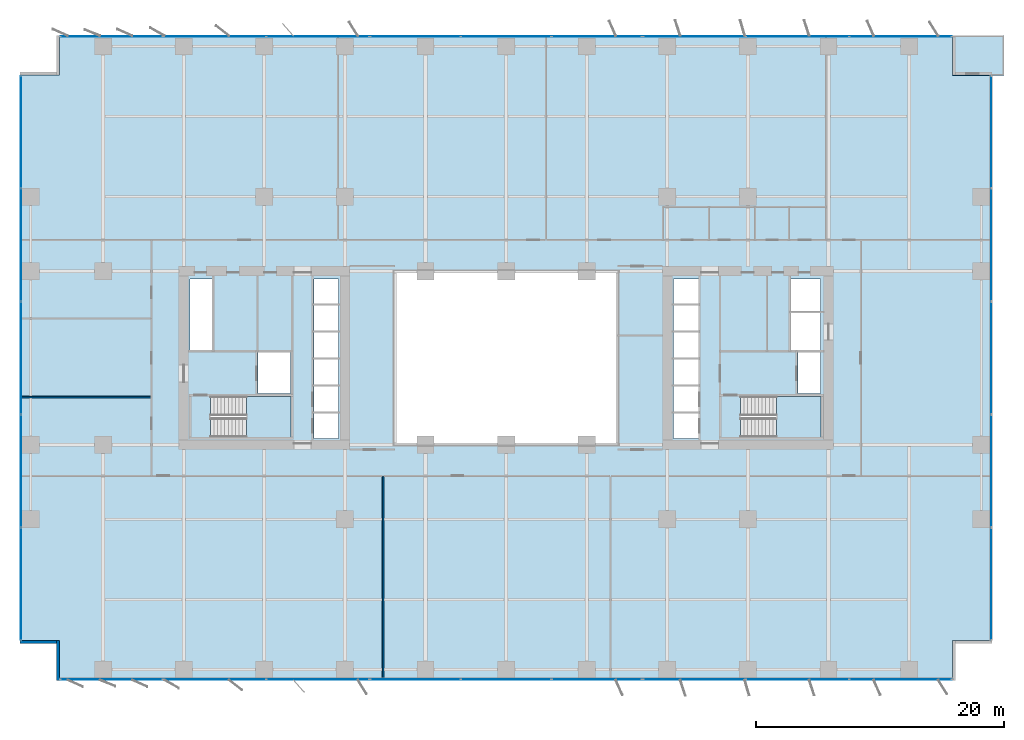
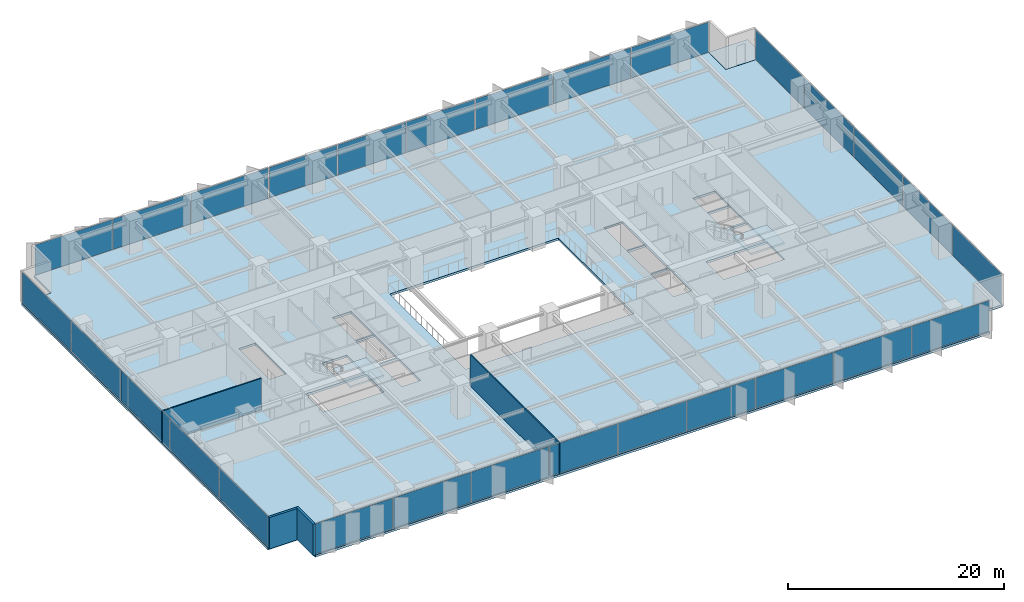
# One storey, part 12 of 20: 28 plates, 4 slabs, 4 walls, 10 elements without a shape of their own.
"""IFC4 building model written with IfcOpenShell, lengths in metres."""

from ifc_helpers import new_model, si_unit, direction, frame, frame_2d, origin, origin_2d, place, context, subcontext, project, spatial, polyline, rectangle, outline, extrude, material, layer, layer_set, type_object, element, aggregate, save


model = new_model("IFC4")

# Units and contexts
model_context = context("Model", 3, precision=1e-05, world=origin(), true_north=direction((0.0, 1.0)))
body_context = subcontext(model_context, "Body", "Model", "MODEL_VIEW")
ifc_project = project(units=[si_unit("LENGTHUNIT", "METRE"), si_unit("AREAUNIT", "SQUARE_METRE"), si_unit("VOLUMEUNIT", "CUBIC_METRE"), si_unit("PLANEANGLEUNIT", "RADIAN"), si_unit("MASSUNIT", "GRAM", prefix="KILO")], contexts=[model_context])

# Site, building, storey
site_placement = place(None, origin())
site = spatial("IfcSite", under=ifc_project, at=site_placement, CompositionType="ELEMENT")
building_placement = place(site_placement, origin())
building = spatial("IfcBuilding", under=site, at=building_placement, Name="Putna Gate Headquarters", CompositionType="ELEMENT")
storey_placement = place(building_placement, frame((0.0, 0.0, 58.199951171875)))
storey = spatial("IfcBuildingStorey", under=building, at=storey_placement, Name="L13", CompositionType="ELEMENT", Elevation=58.199951171875)

# Stair, slab
ifc_material_1 = material(Name="Concrete C40/50", Category="concrete")
stair_type_1 = type_object("IfcStairType", Name="STAIR-ST1", PredefinedType="HALF_TURN_STAIR", material=ifc_material_1)
stair_1_placement = place(storey_placement, origin())
stair_1 = element("IfcStair", 1, at=stair_1_placement, inside=storey, type_object=stair_type_1, Name="L13 West Core Exit Stair ST1", PredefinedType="HALF_TURN_STAIR")
ifc_layer_1 = layer(ifc_material_1, 0.199951171875)
ifc_layer_set_1 = layer_set([ifc_layer_1], Name="Concrete C40/50")
slab_type_1 = type_object("IfcSlabType", Name="LANDING-ST1", PredefinedType="LANDING", material=ifc_layer_set_1)
slab_1_placement = place(storey_placement, frame((0.0, 0.0, 1.699951171875)))
slab_1 = element("IfcSlab", 2, at=slab_1_placement, type_object=slab_type_1, Name="ST1 landing 1", PredefinedType="LANDING", context=body_context, shape_type="SweptSolid", body=[
    extrude(outline(polyline([(18.050048828125, 19.60009765625), (21.64990234375, 19.60009765625), (21.64990234375, 22.89990234375), (18.050048828125, 22.89990234375), (18.050048828125, 19.60009765625)])), origin(), (0.0, 0.0, 1.0), 0.2001953125),
])
aggregate(stair_1, [slab_1])

stair_type_2 = type_object("IfcStairType", Name="STAIR-ST2", PredefinedType="HALF_TURN_STAIR", material=ifc_material_1)
stair_2_placement = place(storey_placement, origin())
stair_2 = element("IfcStair", 3, at=stair_2_placement, inside=storey, type_object=stair_type_2, Name="L13 East Core Exit Stair ST2", PredefinedType="HALF_TURN_STAIR")
ifc_layer_2 = layer(ifc_material_1, 0.199951171875)
ifc_layer_set_2 = layer_set([ifc_layer_2], Name="Concrete C40/50")
slab_type_2 = type_object("IfcSlabType", Name="LANDING-ST2", PredefinedType="LANDING", material=ifc_layer_set_2)
slab_2_placement = place(storey_placement, frame((0.0, 0.0, 1.699951171875)))
slab_2 = element("IfcSlab", 4, at=slab_2_placement, type_object=slab_type_2, Name="ST2 landing 1", PredefinedType="LANDING", context=body_context, shape_type="SweptSolid", body=[
    extrude(outline(polyline([(60.800048828125, 19.60009765625), (64.39990234375, 19.60009765625), (64.39990234375, 22.89990234375), (60.800048828125, 22.89990234375), (60.800048828125, 19.60009765625)])), origin(), (0.0, 0.0, 1.0), 0.2001953125),
])
aggregate(stair_2, [slab_2])

# Curtain wall, plates
ifc_material_2 = material(Name="Anodised bronze aluminium curtain wall", Category="aluminium")
ifc_layer_3 = layer(ifc_material_2, 0.179931640625)
ifc_layer_set_3 = layer_set([ifc_layer_3], Name="Anodised bronze aluminium curtain wall")
curtain_wall_type_1 = type_object("IfcCurtainWallType", Name="CW-SYS-Z1", PredefinedType="USERDEFINED", material=ifc_layer_set_3)
curtain_wall_1_placement = place(storey_placement, origin())
curtain_wall_1 = element("IfcCurtainWall", 5, at=curtain_wall_1_placement, inside=storey, type_object=curtain_wall_type_1, Name="L13 South West Curtain Wall", ObjectType="STICK CURTAIN WALL", PredefinedType="USERDEFINED")
ifc_material_3 = material(Name="Solar-control triple low-E glass", Category="glass")
ifc_layer_4 = layer(ifc_material_3, 0.031982421875)
ifc_layer_set_4 = layer_set([ifc_layer_4], Name="Solar-control triple low-E glass")
plate_type_1 = type_object("IfcPlateType", Name="PAN-CWP-1", PredefinedType="CURTAIN_PANEL", material=ifc_layer_set_4)
plate_1_placement = place(storey_placement, frame((7.18408203125, 0.080078125, 0.065185546875), z_axis=(0.0, 0.0, 1.0), x_axis=(1.0, 0.0, 0.0)))
plate_1 = element("IfcPlate", 6, at=plate_1_placement, type_object=plate_type_1, Name="CWS-1 panel 1.1", PredefinedType="CURTAIN_PANEL", context=body_context, shape_type="SweptSolid", body=[
    extrude(rectangle(XDim=8.228271484375, YDim=0.031982421875, at=origin_2d()), origin(), (0.0, 0.0, 1.0), 3.419921875),
])
plate_2_placement = place(storey_placement, frame((15.5, 0.080078125, 0.065185546875), z_axis=(0.0, 0.0, 1.0), x_axis=(1.0, 0.0, 0.0)))
plate_2 = element("IfcPlate", 7, at=plate_2_placement, type_object=plate_type_1, Name="CWS-1 panel 2.1", PredefinedType="CURTAIN_PANEL", context=body_context, shape_type="SweptSolid", body=[
    extrude(rectangle(XDim=8.263427734375, YDim=0.031982421875, at=origin_2d()), origin(), (0.0, 0.0, 1.0), 3.419921875),
])
plate_3_placement = place(storey_placement, frame((23.81591796875, 0.080078125, 0.065185546875), z_axis=(0.0, 0.0, 1.0), x_axis=(1.0, 0.0, 0.0)))
plate_3 = element("IfcPlate", 8, at=plate_3_placement, type_object=plate_type_1, Name="CWS-1 panel 3.1", PredefinedType="CURTAIN_PANEL", context=body_context, shape_type="SweptSolid", body=[
    extrude(rectangle(XDim=8.228271484375, YDim=0.031982421875, at=origin_2d()), origin(), (0.0, 0.0, 1.0), 3.419921875),
])
aggregate(curtain_wall_1, [plate_1, plate_2, plate_3])

curtain_wall_2_placement = place(storey_placement, origin())
curtain_wall_2 = element("IfcCurtainWall", 9, at=curtain_wall_2_placement, inside=storey, type_object=curtain_wall_type_1, Name="L13 South East Curtain Wall", ObjectType="STICK CURTAIN WALL", PredefinedType="USERDEFINED")
plate_4_placement = place(storey_placement, frame((54.18408203125, 0.080078125, 0.065185546875), z_axis=(0.0, 0.0, 1.0), x_axis=(1.0, 0.0, 0.0)))
plate_4 = element("IfcPlate", 10, at=plate_4_placement, type_object=plate_type_1, Name="CWS-1 panel 1.1", PredefinedType="CURTAIN_PANEL", context=body_context, shape_type="SweptSolid", body=[
    extrude(rectangle(XDim=8.228271484375, YDim=0.031982421875, at=origin_2d()), origin(), (0.0, 0.0, 1.0), 3.419921875),
])
plate_5_placement = place(storey_placement, frame((62.5, 0.080078125, 0.065185546875), z_axis=(0.0, 0.0, 1.0), x_axis=(1.0, 0.0, 0.0)))
plate_5 = element("IfcPlate", 11, at=plate_5_placement, type_object=plate_type_1, Name="CWS-1 panel 2.1", PredefinedType="CURTAIN_PANEL", context=body_context, shape_type="SweptSolid", body=[
    extrude(rectangle(XDim=8.263427734375, YDim=0.031982421875, at=origin_2d()), origin(), (0.0, 0.0, 1.0), 3.419921875),
])
plate_6_placement = place(storey_placement, frame((70.81591796875, 0.080078125, 0.065185546875), z_axis=(0.0, 0.0, 1.0), x_axis=(1.0, 0.0, 0.0)))
plate_6 = element("IfcPlate", 12, at=plate_6_placement, type_object=plate_type_1, Name="CWS-1 panel 3.1", PredefinedType="CURTAIN_PANEL", context=body_context, shape_type="SweptSolid", body=[
    extrude(rectangle(XDim=8.228271484375, YDim=0.031982421875, at=origin_2d()), origin(), (0.0, 0.0, 1.0), 3.419921875),
])
aggregate(curtain_wall_2, [plate_4, plate_5, plate_6])

curtain_wall_3_placement = place(storey_placement, origin())
curtain_wall_3 = element("IfcCurtainWall", 13, at=curtain_wall_3_placement, inside=storey, type_object=curtain_wall_type_1, Name="L13 North West Curtain Wall", ObjectType="STICK CURTAIN WALL", PredefinedType="USERDEFINED")
plate_7_placement = place(storey_placement, frame((7.18408203125, 51.919921875, 0.065185546875), z_axis=(0.0, 0.0, 1.0), x_axis=(1.0, 0.0, 0.0)))
plate_7 = element("IfcPlate", 14, at=plate_7_placement, type_object=plate_type_1, Name="CWS-1 panel 1.1", PredefinedType="CURTAIN_PANEL", context=body_context, shape_type="SweptSolid", body=[
    extrude(rectangle(XDim=8.228271484375, YDim=0.031982421875, at=origin_2d()), origin(), (0.0, 0.0, 1.0), 3.419921875),
])
plate_8_placement = place(storey_placement, frame((15.5, 51.919921875, 0.065185546875), z_axis=(0.0, 0.0, 1.0), x_axis=(1.0, 0.0, 0.0)))
plate_8 = element("IfcPlate", 15, at=plate_8_placement, type_object=plate_type_1, Name="CWS-1 panel 2.1", PredefinedType="CURTAIN_PANEL", context=body_context, shape_type="SweptSolid", body=[
    extrude(rectangle(XDim=8.263427734375, YDim=0.031982421875, at=origin_2d()), origin(), (0.0, 0.0, 1.0), 3.419921875),
])
plate_9_placement = place(storey_placement, frame((23.81591796875, 51.919921875, 0.065185546875), z_axis=(0.0, 0.0, 1.0), x_axis=(1.0, 0.0, 0.0)))
plate_9 = element("IfcPlate", 16, at=plate_9_placement, type_object=plate_type_1, Name="CWS-1 panel 3.1", PredefinedType="CURTAIN_PANEL", context=body_context, shape_type="SweptSolid", body=[
    extrude(rectangle(XDim=8.228271484375, YDim=0.031982421875, at=origin_2d()), origin(), (0.0, 0.0, 1.0), 3.419921875),
])
aggregate(curtain_wall_3, [plate_7, plate_8, plate_9])

curtain_wall_4_placement = place(storey_placement, origin())
curtain_wall_4 = element("IfcCurtainWall", 17, at=curtain_wall_4_placement, inside=storey, type_object=curtain_wall_type_1, Name="L13 North East Curtain Wall", ObjectType="STICK CURTAIN WALL", PredefinedType="USERDEFINED")
plate_10_placement = place(storey_placement, frame((54.18408203125, 51.919921875, 0.065185546875), z_axis=(0.0, 0.0, 1.0), x_axis=(1.0, 0.0, 0.0)))
plate_10 = element("IfcPlate", 18, at=plate_10_placement, type_object=plate_type_1, Name="CWS-1 panel 1.1", PredefinedType="CURTAIN_PANEL", context=body_context, shape_type="SweptSolid", body=[
    extrude(rectangle(XDim=8.228271484375, YDim=0.031982421875, at=origin_2d()), origin(), (0.0, 0.0, 1.0), 3.419921875),
])
plate_11_placement = place(storey_placement, frame((62.5, 51.919921875, 0.065185546875), z_axis=(0.0, 0.0, 1.0), x_axis=(1.0, 0.0, 0.0)))
plate_11 = element("IfcPlate", 19, at=plate_11_placement, type_object=plate_type_1, Name="CWS-1 panel 2.1", PredefinedType="CURTAIN_PANEL", context=body_context, shape_type="SweptSolid", body=[
    extrude(rectangle(XDim=8.263427734375, YDim=0.031982421875, at=origin_2d()), origin(), (0.0, 0.0, 1.0), 3.419921875),
])
plate_12_placement = place(storey_placement, frame((70.81591796875, 51.919921875, 0.065185546875), z_axis=(0.0, 0.0, 1.0), x_axis=(1.0, 0.0, 0.0)))
plate_12 = element("IfcPlate", 20, at=plate_12_placement, type_object=plate_type_1, Name="CWS-1 panel 3.1", PredefinedType="CURTAIN_PANEL", context=body_context, shape_type="SweptSolid", body=[
    extrude(rectangle(XDim=8.228271484375, YDim=0.031982421875, at=origin_2d()), origin(), (0.0, 0.0, 1.0), 3.419921875),
])
aggregate(curtain_wall_4, [plate_10, plate_11, plate_12])

curtain_wall_5_placement = place(storey_placement, origin())
curtain_wall_5 = element("IfcCurtainWall", 21, at=curtain_wall_5_placement, inside=storey, type_object=curtain_wall_type_1, Name="L13 West Curtain Wall", ObjectType="STICK CURTAIN WALL", PredefinedType="USERDEFINED")
plate_13_placement = place(storey_placement, frame((-0.1201171875, 7.777587890625, 0.065185546875), z_axis=(0.0, 0.0, 1.0), x_axis=(0.0, 1.0, 0.0)))
plate_13 = element("IfcPlate", 22, at=plate_13_placement, type_object=plate_type_1, Name="CWS-1 panel 1.1", PredefinedType="CURTAIN_PANEL", context=body_context, shape_type="SweptSolid", body=[
    extrude(rectangle(XDim=9.014892578125, YDim=0.031982421875, at=origin_2d()), origin(), (0.0, 0.0, 1.0), 3.419921875),
])
plate_14_placement = place(storey_placement, frame((-0.1201171875, 16.8798828125, 0.065185546875), z_axis=(0.0, 0.0, 1.0), x_axis=(0.0, 1.0, 0.0)))
plate_14 = element("IfcPlate", 23, at=plate_14_placement, type_object=plate_type_1, Name="CWS-1 panel 2.1", PredefinedType="CURTAIN_PANEL", context=body_context, shape_type="SweptSolid", body=[
    extrude(rectangle(XDim=9.050048828125, YDim=0.031982421875, at=origin_2d()), origin(), (0.0, 0.0, 1.0), 3.419921875),
])
plate_15_placement = place(storey_placement, frame((-0.1201171875, 26.0, 0.065185546875), z_axis=(0.0, 0.0, 1.0), x_axis=(0.0, 1.0, 0.0)))
plate_15 = element("IfcPlate", 24, at=plate_15_placement, type_object=plate_type_1, Name="CWS-1 panel 3.1", PredefinedType="CURTAIN_PANEL", context=body_context, shape_type="SweptSolid", body=[
    extrude(rectangle(XDim=9.050048828125, YDim=0.031982421875, at=origin_2d()), origin(), (0.0, 0.0, 1.0), 3.419921875),
])
plate_16_placement = place(storey_placement, frame((-0.1201171875, 35.1201171875, 0.065185546875), z_axis=(0.0, 0.0, 1.0), x_axis=(0.0, 1.0, 0.0)))
plate_16 = element("IfcPlate", 25, at=plate_16_placement, type_object=plate_type_1, Name="CWS-1 panel 4.1", PredefinedType="CURTAIN_PANEL", context=body_context, shape_type="SweptSolid", body=[
    extrude(rectangle(XDim=9.050048828125, YDim=0.031982421875, at=origin_2d()), origin(), (0.0, 0.0, 1.0), 3.419921875),
])
plate_17_placement = place(storey_placement, frame((-0.1201171875, 44.222412109375, 0.065185546875), z_axis=(0.0, 0.0, 1.0), x_axis=(0.0, 1.0, 0.0)))
plate_17 = element("IfcPlate", 26, at=plate_17_placement, type_object=plate_type_1, Name="CWS-1 panel 5.1", PredefinedType="CURTAIN_PANEL", context=body_context, shape_type="SweptSolid", body=[
    extrude(rectangle(XDim=9.014892578125, YDim=0.031982421875, at=origin_2d()), origin(), (0.0, 0.0, 1.0), 3.419921875),
])
aggregate(curtain_wall_5, [plate_13, plate_14, plate_15, plate_16, plate_17])

curtain_wall_6_placement = place(storey_placement, origin())
curtain_wall_6 = element("IfcCurtainWall", 27, at=curtain_wall_6_placement, inside=storey, type_object=curtain_wall_type_1, Name="L13 East Curtain Wall", ObjectType="STICK CURTAIN WALL", PredefinedType="USERDEFINED")
plate_18_placement = place(storey_placement, frame((78.1201171875, 7.777587890625, 0.065185546875), z_axis=(0.0, 0.0, 1.0), x_axis=(0.0, 1.0, 0.0)))
plate_18 = element("IfcPlate", 28, at=plate_18_placement, type_object=plate_type_1, Name="CWS-1 panel 1.1", PredefinedType="CURTAIN_PANEL", context=body_context, shape_type="SweptSolid", body=[
    extrude(rectangle(XDim=9.014892578125, YDim=0.031982421875, at=origin_2d()), origin(), (0.0, 0.0, 1.0), 3.419921875),
])
plate_19_placement = place(storey_placement, frame((78.1201171875, 16.8798828125, 0.065185546875), z_axis=(0.0, 0.0, 1.0), x_axis=(0.0, 1.0, 0.0)))
plate_19 = element("IfcPlate", 29, at=plate_19_placement, type_object=plate_type_1, Name="CWS-1 panel 2.1", PredefinedType="CURTAIN_PANEL", context=body_context, shape_type="SweptSolid", body=[
    extrude(rectangle(XDim=9.050048828125, YDim=0.031982421875, at=origin_2d()), origin(), (0.0, 0.0, 1.0), 3.419921875),
])
plate_20_placement = place(storey_placement, frame((78.1201171875, 26.0, 0.065185546875), z_axis=(0.0, 0.0, 1.0), x_axis=(0.0, 1.0, 0.0)))
plate_20 = element("IfcPlate", 30, at=plate_20_placement, type_object=plate_type_1, Name="CWS-1 panel 3.1", PredefinedType="CURTAIN_PANEL", context=body_context, shape_type="SweptSolid", body=[
    extrude(rectangle(XDim=9.050048828125, YDim=0.031982421875, at=origin_2d()), origin(), (0.0, 0.0, 1.0), 3.419921875),
])
plate_21_placement = place(storey_placement, frame((78.1201171875, 35.1201171875, 0.065185546875), z_axis=(0.0, 0.0, 1.0), x_axis=(0.0, 1.0, 0.0)))
plate_21 = element("IfcPlate", 31, at=plate_21_placement, type_object=plate_type_1, Name="CWS-1 panel 4.1", PredefinedType="CURTAIN_PANEL", context=body_context, shape_type="SweptSolid", body=[
    extrude(rectangle(XDim=9.050048828125, YDim=0.031982421875, at=origin_2d()), origin(), (0.0, 0.0, 1.0), 3.419921875),
])
plate_22_placement = place(storey_placement, frame((78.1201171875, 44.222412109375, 0.065185546875), z_axis=(0.0, 0.0, 1.0), x_axis=(0.0, 1.0, 0.0)))
plate_22 = element("IfcPlate", 32, at=plate_22_placement, type_object=plate_type_1, Name="CWS-1 panel 5.1", PredefinedType="CURTAIN_PANEL", context=body_context, shape_type="SweptSolid", body=[
    extrude(rectangle(XDim=9.014892578125, YDim=0.031982421875, at=origin_2d()), origin(), (0.0, 0.0, 1.0), 3.419921875),
])
aggregate(curtain_wall_6, [plate_18, plate_19, plate_20, plate_21, plate_22])

ifc_layer_5 = layer(ifc_material_2, 0.179931640625)
ifc_layer_set_5 = layer_set([ifc_layer_5], Name="Anodised bronze aluminium curtain wall")
curtain_wall_type_2 = type_object("IfcCurtainWallType", Name="CW-SYS-ATR", PredefinedType="USERDEFINED", material=ifc_layer_set_5)
curtain_wall_7_placement = place(storey_placement, origin())
curtain_wall_7 = element("IfcCurtainWall", 33, at=curtain_wall_7_placement, inside=storey, type_object=curtain_wall_type_2, Name="L13 South Atrium Clear Glazing", ObjectType="ATRIUM GLAZING", PredefinedType="USERDEFINED")
ifc_material_4 = material(Name="Clear low-iron triple glazing", Category="glass")
ifc_layer_6 = layer(ifc_material_4, 0.0400390625)
ifc_layer_set_6 = layer_set([ifc_layer_6], Name="Clear low-iron triple glazing")
plate_type_2 = type_object("IfcPlateType", Name="PAN-CWP-AT", PredefinedType="CURTAIN_PANEL", material=ifc_layer_set_6)
plate_23_placement = place(storey_placement, frame((31.68408203125, 0.080078125, 0.0703125), z_axis=(0.0, 0.0, 1.0), x_axis=(1.0, 0.0, 0.0)))
plate_23 = element("IfcPlate", 34, at=plate_23_placement, type_object=plate_type_2, Name="CWS-AT panel 1.1", PredefinedType="CURTAIN_PANEL", context=body_context, shape_type="SweptSolid", body=[
    extrude(rectangle(XDim=7.228271484375, YDim=0.0400390625, at=origin_2d()), origin(), (0.0, 0.0, 1.0), 3.409912109375),
])
plate_24_placement = place(storey_placement, frame((39.0, 0.080078125, 0.0703125), z_axis=(0.0, 0.0, 1.0), x_axis=(1.0, 0.0, 0.0)))
plate_24 = element("IfcPlate", 35, at=plate_24_placement, type_object=plate_type_2, Name="CWS-AT panel 2.1", PredefinedType="CURTAIN_PANEL", context=body_context, shape_type="SweptSolid", body=[
    extrude(rectangle(XDim=7.263427734375, YDim=0.0400390625, at=origin_2d()), origin(), (0.0, 0.0, 1.0), 3.409912109375),
])
plate_25_placement = place(storey_placement, frame((46.31591796875, 0.080078125, 0.0703125), z_axis=(0.0, 0.0, 1.0), x_axis=(1.0, 0.0, 0.0)))
plate_25 = element("IfcPlate", 36, at=plate_25_placement, type_object=plate_type_2, Name="CWS-AT panel 3.1", PredefinedType="CURTAIN_PANEL", context=body_context, shape_type="SweptSolid", body=[
    extrude(rectangle(XDim=7.228271484375, YDim=0.0400390625, at=origin_2d()), origin(), (0.0, 0.0, 1.0), 3.409912109375),
])
aggregate(curtain_wall_7, [plate_23, plate_24, plate_25])

curtain_wall_8_placement = place(storey_placement, origin())
curtain_wall_8 = element("IfcCurtainWall", 37, at=curtain_wall_8_placement, inside=storey, type_object=curtain_wall_type_2, Name="L13 North Atrium Clear Glazing", ObjectType="ATRIUM GLAZING", PredefinedType="USERDEFINED")
plate_26_placement = place(storey_placement, frame((31.68408203125, 51.919921875, 0.0703125), z_axis=(0.0, 0.0, 1.0), x_axis=(1.0, 0.0, 0.0)))
plate_26 = element("IfcPlate", 38, at=plate_26_placement, type_object=plate_type_2, Name="CWS-AT panel 1.1", PredefinedType="CURTAIN_PANEL", context=body_context, shape_type="SweptSolid", body=[
    extrude(rectangle(XDim=7.228271484375, YDim=0.0400390625, at=origin_2d()), origin(), (0.0, 0.0, 1.0), 3.409912109375),
])
plate_27_placement = place(storey_placement, frame((39.0, 51.919921875, 0.0703125), z_axis=(0.0, 0.0, 1.0), x_axis=(1.0, 0.0, 0.0)))
plate_27 = element("IfcPlate", 39, at=plate_27_placement, type_object=plate_type_2, Name="CWS-AT panel 2.1", PredefinedType="CURTAIN_PANEL", context=body_context, shape_type="SweptSolid", body=[
    extrude(rectangle(XDim=7.263427734375, YDim=0.0400390625, at=origin_2d()), origin(), (0.0, 0.0, 1.0), 3.409912109375),
])
plate_28_placement = place(storey_placement, frame((46.31591796875, 51.919921875, 0.0703125), z_axis=(0.0, 0.0, 1.0), x_axis=(1.0, 0.0, 0.0)))
plate_28 = element("IfcPlate", 40, at=plate_28_placement, type_object=plate_type_2, Name="CWS-AT panel 3.1", PredefinedType="CURTAIN_PANEL", context=body_context, shape_type="SweptSolid", body=[
    extrude(rectangle(XDim=7.228271484375, YDim=0.0400390625, at=origin_2d()), origin(), (0.0, 0.0, 1.0), 3.409912109375),
])
aggregate(curtain_wall_8, [plate_26, plate_27, plate_28])

# Slabs
ifc_layer_7 = layer(ifc_material_1, 0.179931640625)
ifc_layer_set_7 = layer_set([ifc_layer_7], Name="Concrete C40/50")
slab_type_3 = type_object("IfcSlabType", Name="SLAB-TERRACE-180", PredefinedType="FLOOR", material=ifc_layer_set_7)
slab_3_placement = place(storey_placement, frame((0.0, 0.0, -0.179931640625)))
element("IfcSlab", 41, at=slab_3_placement, inside=storey, type_object=slab_type_3, Name="L13 Spiral Sky-Garden Terrace Slab (NE)", PredefinedType="FLOOR", context=body_context, shape_type="SweptSolid", body=[
    extrude(outline(polyline([(74.991943359375, 48.7919921875), (79.14990234375, 48.7919921875), (79.14990234375, 52.0), (74.991943359375, 52.0), (74.991943359375, 48.7919921875)])), origin(), (0.0, 0.0, 1.0), 0.179931640625),
])
ifc_layer_8 = layer(ifc_material_1, 0.25)
ifc_layer_set_8 = layer_set([ifc_layer_8], Name="Concrete C40/50")
slab_type_4 = type_object("IfcSlabType", Name="SLAB-Z1-250", PredefinedType="FLOOR", material=ifc_layer_set_8)
slab_4_placement = place(storey_placement, frame((0.0, 0.0, -0.25)))
element("IfcSlab", 42, at=slab_4_placement, inside=storey, type_object=slab_type_4, Name="L13 Composite Floor Slab", PredefinedType="FLOOR", context=body_context, shape_type="SweptSolid", body=[
    extrude(outline(polyline([(3.0, 0.0), (75.0, 0.0), (75.0, 3.199951171875), (78.199951171875, 3.199951171875), (78.199951171875, 48.800048828125), (75.0, 48.800048828125), (75.0, 52.0), (3.0, 52.0), (3.0, 48.800048828125), (-0.199951171875, 48.800048828125), (-0.199951171875, 3.199951171875), (3.0, 3.199951171875), (3.0, 0.0)]), holes=[polyline([(15.1650390625, 19.60009765625), (21.64990234375, 19.60009765625), (21.64990234375, 22.89990234375), (15.1650390625, 22.89990234375), (15.1650390625, 19.60009765625)]), polyline([(57.9150390625, 19.60009765625), (64.39990234375, 19.60009765625), (64.39990234375, 22.89990234375), (57.9150390625, 22.89990234375), (57.9150390625, 19.60009765625)]), polyline([(13.52001953125, 26.659912109375), (15.280029296875, 26.659912109375), (15.280029296875, 32.35009765625), (13.52001953125, 32.35009765625), (13.52001953125, 26.659912109375)]), polyline([(61.969970703125, 29.780029296875), (64.35009765625, 29.780029296875), (64.35009765625, 32.35009765625), (61.969970703125, 32.35009765625), (61.969970703125, 29.780029296875)]), polyline([(18.97998046875, 23.1201171875), (21.6201171875, 23.1201171875), (21.6201171875, 26.4599609375), (18.97998046875, 26.4599609375), (18.97998046875, 23.1201171875)]), polyline([(62.52001953125, 23.1201171875), (64.35009765625, 23.1201171875), (64.35009765625, 26.4599609375), (62.52001953125, 26.4599609375), (62.52001953125, 23.1201171875)]), polyline([(61.969970703125, 26.659912109375), (64.35009765625, 26.659912109375), (64.35009765625, 29.6201171875), (61.969970703125, 29.6201171875), (61.969970703125, 26.659912109375)]), polyline([(23.5, 19.52001953125), (25.5, 19.52001953125), (25.5, 23.699951171875), (23.5, 23.699951171875), (23.5, 19.52001953125)]), polyline([(52.47998046875, 19.52001953125), (54.5, 19.52001953125), (54.5, 23.699951171875), (52.47998046875, 23.699951171875), (52.47998046875, 19.52001953125)]), polyline([(23.5, 23.860107421875), (25.5, 23.860107421875), (25.5, 28.0400390625), (23.5, 28.0400390625), (23.5, 23.860107421875)]), polyline([(52.47998046875, 23.860107421875), (54.5, 23.860107421875), (54.5, 28.0400390625), (52.47998046875, 28.0400390625), (52.47998046875, 23.860107421875)]), polyline([(23.5, 28.199951171875), (25.5, 28.199951171875), (25.5, 32.35009765625), (23.5, 32.35009765625), (23.5, 28.199951171875)]), polyline([(52.47998046875, 28.199951171875), (54.5, 28.199951171875), (54.5, 32.35009765625), (52.47998046875, 32.35009765625), (52.47998046875, 28.199951171875)]), polyline([(30.0, 19.0), (48.0, 19.0), (48.0, 33.0), (30.0, 33.0), (30.0, 19.0)])]), origin(), (0.0, 0.0, 1.0), 0.25),
])

# Walls
ifc_material_5 = material(Name="Precast concrete C40/50", Category="concrete")
ifc_layer_9 = layer(ifc_material_5, 0.239990234375)
ifc_layer_set_9 = layer_set([ifc_layer_9], Name="Precast concrete C40/50")
wall_type_1 = type_object("IfcWallType", Name="WALL-EXT-TERR-240", PredefinedType="STANDARD", material=ifc_layer_set_9)
for number, where, z_axis, x_axis, name in (
    (43, (2.8798828125, 0.0, 0.0), (0.0, 0.0, 1.0), (0.0, 1.0, 0.0), "L13 Corner Notch Return Wall SW-V"),
    (44, (3.0, 3.080078125, 0.0), (0.0, 0.0, 1.0), (-1.0, 0.0, 0.0), "L13 Corner Notch Return Wall SW-H"),
):
    element("IfcWall", number, at=place(storey_placement, frame(where, z_axis=z_axis, x_axis=x_axis)), inside=storey, type_object=wall_type_1, Name=name, PredefinedType="STANDARD", context=body_context, shape_type="SweptSolid", body=[
        extrude(rectangle(XDim=3.199951171875, YDim=0.239990234375, at=frame_2d((1.60009765625, 0.0))), origin(), (0.0, 0.0, 1.0), 3.550048828125),
    ])
ifc_material_6 = material(Name="Acoustic gypsum board on metal stud")
ifc_layer_10 = layer(ifc_material_6, 0.1201171875)
ifc_layer_set_10 = layer_set([ifc_layer_10], Name="Acoustic gypsum board on metal stud")
wall_type_2 = type_object("IfcWallType", Name="WALL-PART-120", PredefinedType="PARTITIONING", material=ifc_layer_set_10)
wall_1_placement = place(storey_placement, frame((29.0810546875, 0.02001953125, 0.0), z_axis=(0.0, 0.0, 1.0), x_axis=(0.0, 1.0, 0.0)))
element("IfcWall", 45, at=wall_1_placement, inside=storey, type_object=wall_type_2, Name="L13 Interior Wall PART-L13-SB-DIV-01", PredefinedType="PARTITIONING", context=body_context, shape_type="SweptSolid", body=[
    extrude(rectangle(XDim=16.419921875, YDim=0.1201171875, at=frame_2d((8.2099609375, 0.0))), origin(), (0.0, 0.0, 1.0), 3.550048828125),
])
wall_2_placement = place(storey_placement, frame((-0.179931640625, 22.833251953125, 0.0), z_axis=(0.0, 0.0, 1.0), x_axis=(1.0, 0.0, 0.0)))
element("IfcWall", 46, at=wall_2_placement, inside=storey, type_object=wall_type_2, Name="L13 Interior Wall PART-L13-WW-DIV-1", PredefinedType="PARTITIONING", context=body_context, shape_type="SweptSolid", body=[
    extrude(rectangle(XDim=10.579833984375, YDim=0.1201171875, at=frame_2d((5.2900390625, 0.0))), origin(), (0.0, 0.0, 1.0), 3.550048828125),
])

save(model, "model.ifc")
